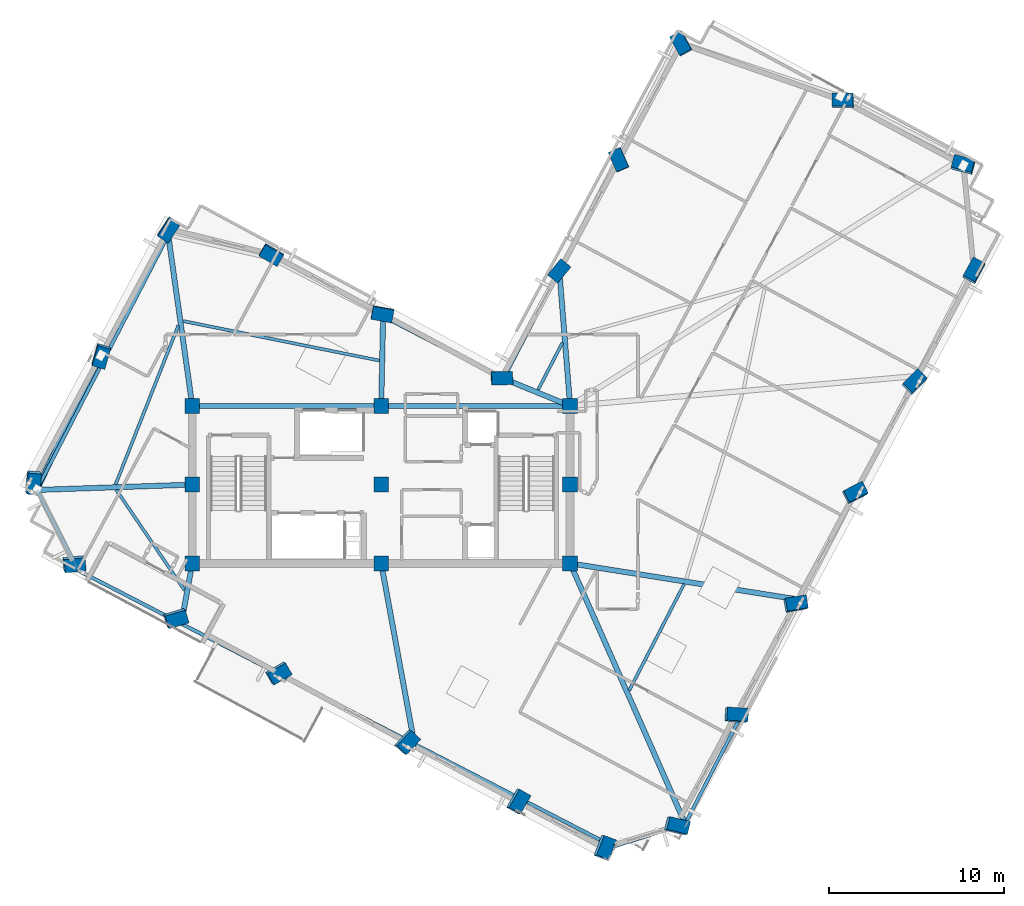
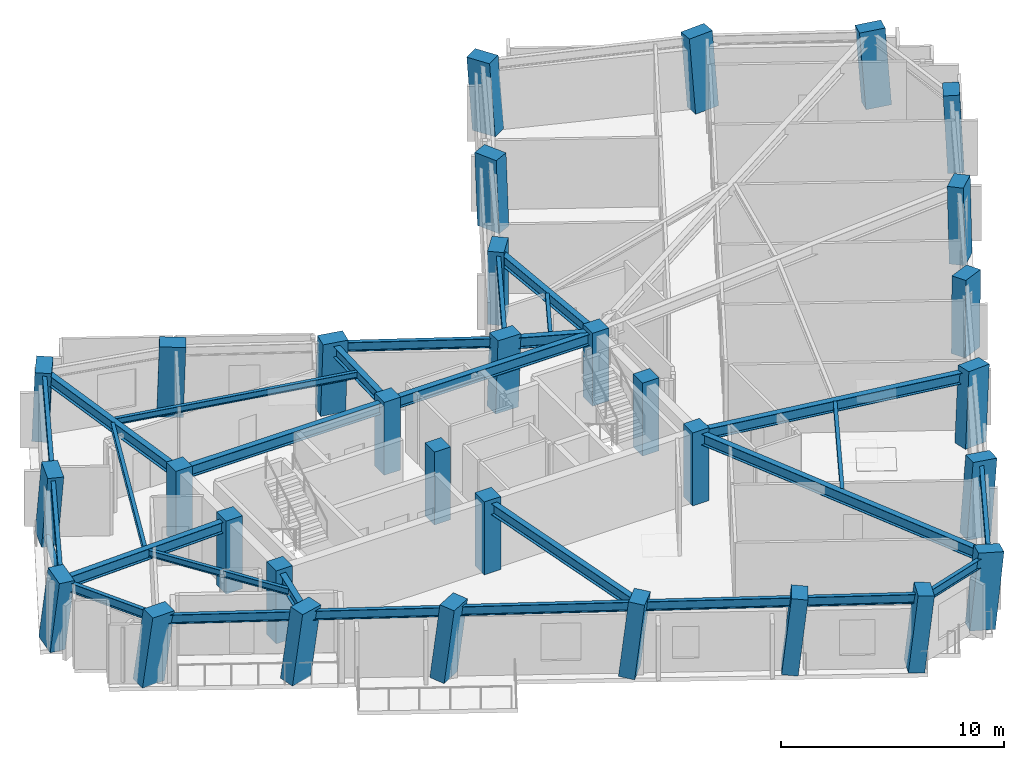
# One storey, part 1 of 14: 32 columns, 28 beams, 1 member.
"""IFC4 building model written with IfcOpenShell, lengths in metres."""

from ifc_helpers import new_model, si_unit, direction, frame, origin, origin_2d, place, context, subcontext, project, spatial, rectangle, hollow_circle, i_section, extrude, material, material_profile, profile_set, type_object, element, save


model = new_model("IFC4")

# Units and contexts
model_context = context("Model", 3, precision=1e-05, world=origin(), true_north=direction((0.0, 1.0)))
body_context = subcontext(model_context, "Body", "Model", "MODEL_VIEW")
ifc_project = project(units=[si_unit("LENGTHUNIT", "METRE"), si_unit("AREAUNIT", "SQUARE_METRE"), si_unit("VOLUMEUNIT", "CUBIC_METRE"), si_unit("PLANEANGLEUNIT", "RADIAN"), si_unit("MASSUNIT", "GRAM", prefix="KILO")], contexts=[model_context])

# Site, building, storey
site_placement = place(None, origin())
site = spatial("IfcSite", under=ifc_project, at=site_placement, CompositionType="ELEMENT")
building_placement = place(site_placement, origin())
building = spatial("IfcBuilding", under=site, at=building_placement, Name="Gaonmaruhae Medical Tower", CompositionType="ELEMENT")
storey_placement = place(building_placement, frame((0.0, 0.0, 288.60009765625)))
storey = spatial("IfcBuildingStorey", under=building, at=storey_placement, Name="L69", CompositionType="ELEMENT", Elevation=288.60009765625)

# Columns
ifc_material_1 = material(Name="Concrete C50/60", Category="concrete")
ifc_material_profile_1 = material_profile(ifc_material_1, rectangle(XDim=0.85009765625, YDim=0.85009765625, at=origin_2d()), Name="RC-850x850")
ifc_profile_set_1 = profile_set([ifc_material_profile_1], Name="Concrete C50/60")
column_type_1 = type_object("IfcColumnType", Name="CC-06 Upper Core Column (RC-850x850)", PredefinedType="COLUMN", material=ifc_profile_set_1)
for number, where, z_axis, x_axis, name in (
    (1, (14.0, 7.800048828125, 0.0), (0.0, 0.0, 1.0), (1.0, 0.0, 0.0), "L69 Plumb Core Column CC11"),
    (2, (14.0, 12.300048828125, 0.0), (0.0, 0.0, 1.0), (1.0, 0.0, 0.0), "L69 Plumb Core Column CC12"),
    (3, (14.0, 16.800048828125, 0.0), (0.0, 0.0, 1.0), (1.0, 0.0, 0.0), "L69 Plumb Core Column CC13"),
    (4, (24.800048828125, 7.800048828125, 0.0), (0.0, 0.0, 1.0), (1.0, 0.0, 0.0), "L69 Plumb Core Column CC21"),
    (5, (24.800048828125, 12.300048828125, 0.0), (0.0, 0.0, 1.0), (1.0, 0.0, 0.0), "L69 Plumb Core Column CC22"),
    (6, (24.800048828125, 16.800048828125, 0.0), (0.0, 0.0, 1.0), (1.0, 0.0, 0.0), "L69 Plumb Core Column CC23"),
    (7, (35.60009765625, 7.800048828125, 0.0), (0.0, 0.0, 1.0), (1.0, 0.0, 0.0), "L69 Plumb Core Column CC31"),
    (8, (35.60009765625, 12.300048828125, 0.0), (0.0, 0.0, 1.0), (1.0, 0.0, 0.0), "L69 Plumb Core Column CC32"),
    (9, (35.60009765625, 16.800048828125, 0.0), (0.0, 0.0, 1.0), (1.0, 0.0, 0.0), "L69 Plumb Core Column CC33"),
):
    element("IfcColumn", number, at=place(storey_placement, frame(where, z_axis=z_axis, x_axis=x_axis)), inside=storey, type_object=column_type_1, Name=name, PredefinedType="COLUMN", context=body_context, shape_type="SweptSolid", body=[
        extrude(rectangle(XDim=0.85009765625, YDim=0.85009765625, at=origin_2d()), origin(), (0.0, 0.0, 1.0), 4.0),
    ])
ifc_material_profile_2 = material_profile(ifc_material_1, rectangle(XDim=1.199951171875, YDim=0.75, at=origin_2d()), Name="RC-1200x750")
ifc_profile_set_2 = profile_set([ifc_material_profile_2], Name="Concrete C50/60")
column_type_2 = type_object("IfcColumnType", Name="TC-03 Upper Raking Tube Pier Column (RC-1200x750)", PredefinedType="COLUMN", material=ifc_profile_set_2)
column_1_placement = place(storey_placement, frame((41.651123046875, -7.22509765625, 0.001708984375), z_axis=(0.131222075109, 0.034197634888, 0.990762983146), x_axis=(-0.963909979009, 0.237925391317, 0.119453172973)))
element("IfcColumn", 10, at=column_1_placement, inside=storey, type_object=column_type_2, Name="L69 Perimeter Tube Column S01", PredefinedType="COLUMN", context=body_context, shape_type="SweptSolid", body=[
    extrude(rectangle(XDim=1.199951171875, YDim=0.75, at=origin_2d()), origin(), (0.0, 0.0, 1.0), 4.03369140625),
])
column_2_placement = place(storey_placement, frame((45.058837890625, -0.882568359375, 0.001708984375), z_axis=(0.105340829604, 0.048058719497, 0.993274216467), x_axis=(-0.992495415891, 0.067453384298, 0.101994560549)))
element("IfcColumn", 11, at=column_2_placement, inside=storey, type_object=column_type_2, Name="L69 Perimeter Tube Column S02", PredefinedType="COLUMN", context=body_context, shape_type="SweptSolid", body=[
    extrude(rectangle(XDim=1.199951171875, YDim=0.75, at=origin_2d()), origin(), (0.0, 0.0, 1.0), 4.0234375),
])
column_3_placement = place(storey_placement, frame((48.466796875, 5.4599609375, 0.001708984375), z_axis=(0.079258737557, 0.061936084026, 0.99492812505), x_axis=(-0.98201925884, -0.16669404877, 0.08860738892)))
element("IfcColumn", 12, at=column_3_placement, inside=storey, type_object=column_type_2, Name="L69 Perimeter Tube Column S03", PredefinedType="COLUMN", context=body_context, shape_type="SweptSolid", body=[
    extrude(rectangle(XDim=1.199951171875, YDim=0.75, at=origin_2d()), origin(), (0.0, 0.0, 1.0), 4.0166015625),
])
column_4_placement = place(storey_placement, frame((51.87451171875, 11.80224609375, 0.001708984375), z_axis=(0.053042740852, 0.075853552572, 0.995707138774), x_axis=(-0.890530917938, -0.447556403311, 0.081534962146)))
element("IfcColumn", 13, at=column_4_placement, inside=storey, type_object=column_type_2, Name="L69 Perimeter Tube Column S04", PredefinedType="COLUMN", context=body_context, shape_type="SweptSolid", body=[
    extrude(rectangle(XDim=1.199951171875, YDim=0.75, at=origin_2d()), origin(), (0.0, 0.0, 1.0), 4.013671875),
])
column_5_placement = place(storey_placement, frame((55.282470703125, 18.144775390625, 0.001708984375), z_axis=(0.026701241209, 0.089713737548, 0.99560960673), x_axis=(-0.70383349377, -0.705563431999, 0.082453965787)))
element("IfcColumn", 14, at=column_5_placement, inside=storey, type_object=column_type_2, Name="L69 Perimeter Tube Column S05", PredefinedType="COLUMN", context=body_context, shape_type="SweptSolid", body=[
    extrude(rectangle(XDim=1.199951171875, YDim=0.75, at=origin_2d()), origin(), (0.0, 0.0, 1.0), 4.013916015625),
])
column_6_placement = place(storey_placement, frame((58.6904296875, 24.487060546875, 0.001708984375), z_axis=(0.000425341829, 0.103479590753, 0.994631486221), x_axis=(-0.476917007508, -0.874208749099, 0.091154983125)))
element("IfcColumn", 15, at=column_6_placement, inside=storey, type_object=column_type_2, Name="L69 Perimeter Tube Column S06", PredefinedType="COLUMN", context=body_context, shape_type="SweptSolid", body=[
    extrude(rectangle(XDim=1.199951171875, YDim=0.75, at=origin_2d()), origin(), (0.0, 0.0, 1.0), 4.017822265625),
])
column_7_placement = place(storey_placement, frame((58.08544921875, 30.544921875, 0.001708984375), z_axis=(-0.024487034295, 0.100743183277, 0.994611077846), x_axis=(0.967157776152, -0.249394798072, 0.049072097195)))
element("IfcColumn", 16, at=column_7_placement, inside=storey, type_object=column_type_2, Name="L69 Perimeter Tube Column E01", PredefinedType="COLUMN", context=body_context, shape_type="SweptSolid", body=[
    extrude(rectangle(XDim=1.199951171875, YDim=0.75, at=origin_2d()), origin(), (0.0, 0.0, 1.0), 4.01806640625),
])
column_8_placement = place(storey_placement, frame((51.214599609375, 34.23681640625, 0.001708984375), z_axis=(-0.039573663733, 0.072450245911, 0.996586617914), x_axis=(0.999201856166, 0.008297625984, 0.039074288691)))
element("IfcColumn", 17, at=column_8_placement, inside=storey, type_object=column_type_2, Name="L69 Perimeter Tube Column E02", PredefinedType="COLUMN", context=body_context, shape_type="SweptSolid", body=[
    extrude(rectangle(XDim=1.199951171875, YDim=0.75, at=origin_2d()), origin(), (0.0, 0.0, 1.0), 4.010009765625),
])
column_9_placement = place(storey_placement, frame((41.9599609375, 37.506591796875, 0.001708984375), z_axis=(-0.052860994468, 0.034143202886, 0.998018014347), x_axis=(0.481683827276, -0.874590087934, 0.055433461268)))
element("IfcColumn", 18, at=column_9_placement, inside=storey, type_object=column_type_2, Name="L69 Perimeter Tube Column E03", PredefinedType="COLUMN", context=body_context, shape_type="SweptSolid", body=[
    extrude(rectangle(XDim=1.199951171875, YDim=0.75, at=origin_2d()), origin(), (0.0, 0.0, 1.0), 4.00439453125),
])
column_10_placement = place(storey_placement, frame((38.386474609375, 30.855712890625, 0.001708984375), z_axis=(-0.02527873729, 0.019661240115, 0.999487078995), x_axis=(0.404386239678, -0.914153133905, 0.028210227402)))
element("IfcColumn", 19, at=column_10_placement, inside=storey, type_object=column_type_2, Name="L69 Perimeter Tube Column EN01", PredefinedType="COLUMN", context=body_context, shape_type="SweptSolid", body=[
    extrude(rectangle(XDim=1.199951171875, YDim=0.75, at=origin_2d()), origin(), (0.0, 0.0, 1.0), 3.998291015625),
])
column_11_placement = place(storey_placement, frame((34.978515625, 24.513427734375, 0.001708984375), z_axis=(0.001160710729, 0.005742463608, 0.999982838284), x_axis=(-0.638457278881, -0.769639960871, 0.005160782248)))
element("IfcColumn", 20, at=column_11_placement, inside=storey, type_object=column_type_2, Name="L69 Perimeter Tube Column EN02", PredefinedType="COLUMN", context=body_context, shape_type="SweptSolid", body=[
    extrude(rectangle(XDim=1.199951171875, YDim=0.75, at=origin_2d()), origin(), (0.0, 0.0, 1.0), 3.996337890625),
])
column_12_placement = place(storey_placement, frame((31.68896484375, 18.39111328125, 0.001708984375), z_axis=(0.026625482146, -0.00769452007, 0.999615865251), x_axis=(-0.999585944385, -0.011118265183, 0.026539102593)))
element("IfcColumn", 21, at=column_12_placement, inside=storey, type_object=column_type_2, Name="L69 Perimeter Tube Column KN01", PredefinedType="COLUMN", context=body_context, shape_type="SweptSolid", body=[
    extrude(rectangle(XDim=1.199951171875, YDim=0.75, at=origin_2d()), origin(), (0.0, 0.0, 1.0), 3.997802734375),
])
column_13_placement = place(storey_placement, frame((24.862060546875, 22.059326171875, 0.001708984375), z_axis=(0.011660007083, -0.036078870084, 0.999280921147), x_axis=(-0.983654833294, 0.179167776512, 0.017946498203)))
element("IfcColumn", 22, at=column_13_placement, inside=storey, type_object=column_type_2, Name="L69 Perimeter Tube Column NE01", PredefinedType="COLUMN", context=body_context, shape_type="SweptSolid", body=[
    extrude(rectangle(XDim=1.199951171875, YDim=0.75, at=origin_2d()), origin(), (0.0, 0.0, 1.0), 3.999267578125),
])
column_14_placement = place(storey_placement, frame((18.51953125, 25.46728515625, 0.001708984375), z_axis=(-0.002194983084, -0.062435074387, 0.998046613909), x_axis=(-0.863749482382, 0.503053124893, 0.029570005408)))
element("IfcColumn", 23, at=column_14_placement, inside=storey, type_object=column_type_2, Name="L69 Perimeter Tube Column NE02", PredefinedType="COLUMN", context=body_context, shape_type="SweptSolid", body=[
    extrude(rectangle(XDim=1.199951171875, YDim=0.75, at=origin_2d()), origin(), (0.0, 0.0, 1.0), 4.004150390625),
])
column_15_placement = place(storey_placement, frame((12.656494140625, 26.914794921875, 0.001708984375), z_axis=(-0.008033507134, -0.086542781403, 0.99621574458), x_axis=(0.552405780626, 0.830051829653, 0.076562481814)))
element("IfcColumn", 24, at=column_15_placement, inside=storey, type_object=column_type_2, Name="L69 Perimeter Tube Column N01", PredefinedType="COLUMN", context=body_context, shape_type="SweptSolid", body=[
    extrude(rectangle(XDim=1.199951171875, YDim=0.75, at=origin_2d()), origin(), (0.0, 0.0, 1.0), 4.011474609375),
])
column_16_placement = place(storey_placement, frame((8.775390625, 19.69140625, 0.001708984375), z_axis=(0.021872497794, -0.102132413311, 0.994530323314), x_axis=(0.279366922613, 0.955766050838, 0.092007492169)))
element("IfcColumn", 25, at=column_16_placement, inside=storey, type_object=column_type_2, Name="L69 Perimeter Tube Column N02", PredefinedType="COLUMN", context=body_context, shape_type="SweptSolid", body=[
    extrude(rectangle(XDim=1.199951171875, YDim=0.75, at=origin_2d()), origin(), (0.0, 0.0, 1.0), 4.018310546875),
])
column_17_placement = place(storey_placement, frame((4.89404296875, 12.468017578125, 0.001708984375), z_axis=(0.051679010826, -0.117595498256, 0.991715976795), x_axis=(0.081851400023, 0.990200644912, 0.113150480027)))
element("IfcColumn", 26, at=column_17_placement, inside=storey, type_object=column_type_2, Name="L69 Perimeter Tube Column N03", PredefinedType="COLUMN", context=body_context, shape_type="SweptSolid", body=[
    extrude(rectangle(XDim=1.199951171875, YDim=0.75, at=origin_2d()), origin(), (0.0, 0.0, 1.0), 4.02978515625),
])
column_18_placement = place(storey_placement, frame((7.218017578125, 7.813720703125, 0.001708984375), z_axis=(0.070698136038, -0.107834346313, 0.991651918425), x_axis=(-0.994028901096, -0.090452695087, 0.061031579835)))
element("IfcColumn", 27, at=column_18_placement, inside=storey, type_object=column_type_2, Name="L69 Perimeter Tube Column W01", PredefinedType="COLUMN", context=body_context, shape_type="SweptSolid", body=[
    extrude(rectangle(XDim=1.199951171875, YDim=0.75, at=origin_2d()), origin(), (0.0, 0.0, 1.0), 4.030029296875),
])
column_19_placement = place(storey_placement, frame((13.031982421875, 4.68994140625, 0.001708984375), z_axis=(0.083470163832, -0.083955455482, 0.992967377734), x_axis=(-0.956055787436, -0.287780043568, 0.056035505114)))
element("IfcColumn", 28, at=column_19_placement, inside=storey, type_object=column_type_2, Name="L69 Perimeter Tube Column W02", PredefinedType="COLUMN", context=body_context, shape_type="SweptSolid", body=[
    extrude(rectangle(XDim=1.199951171875, YDim=0.75, at=origin_2d()), origin(), (0.0, 0.0, 1.0), 4.024658203125),
])
column_20_placement = place(storey_placement, frame((18.889892578125, 1.54248046875, 0.001708984375), z_axis=(0.096266334143, -0.059787099074, 0.993558400747), x_axis=(-0.864243436661, -0.500206293259, 0.053637173418)))
element("IfcColumn", 29, at=column_20_placement, inside=storey, type_object=column_type_2, Name="L69 Perimeter Tube Column W03", PredefinedType="COLUMN", context=body_context, shape_type="SweptSolid", body=[
    extrude(rectangle(XDim=1.199951171875, YDim=0.75, at=origin_2d()), origin(), (0.0, 0.0, 1.0), 4.022216796875),
])
column_21_placement = place(storey_placement, frame((26.245361328125, -2.40966796875, 0.001708984375), z_axis=(0.112255108105, -0.029368363418, 0.993245332199), x_axis=(-0.677771171035, -0.733218892592, 0.054920808993)))
element("IfcColumn", 30, at=column_21_placement, inside=storey, type_object=column_type_2, Name="L69 Perimeter Tube Column W04", PredefinedType="COLUMN", context=body_context, shape_type="SweptSolid", body=[
    extrude(rectangle(XDim=1.199951171875, YDim=0.75, at=origin_2d()), origin(), (0.0, 0.0, 1.0), 4.0234375),
])
column_22_placement = place(storey_placement, frame((32.587646484375, -5.817626953125, 0.001708984375), z_axis=(0.125935960294, -0.00309082482, 0.992033558256), x_axis=(-0.491020683941, -0.869104963751, 0.059625916554)))
element("IfcColumn", 31, at=column_22_placement, inside=storey, type_object=column_type_2, Name="L69 Perimeter Tube Column W05", PredefinedType="COLUMN", context=body_context, shape_type="SweptSolid", body=[
    extrude(rectangle(XDim=1.199951171875, YDim=0.75, at=origin_2d()), origin(), (0.0, 0.0, 1.0), 4.0283203125),
])
column_23_placement = place(storey_placement, frame((37.520751953125, -8.46826171875, 0.001708984375), z_axis=(0.136451218521, 0.017245497684, 0.990496672268), x_axis=(-0.354668065967, -0.932723274246, 0.065098822281)))
element("IfcColumn", 32, at=column_23_placement, inside=storey, type_object=column_type_2, Name="L69 Perimeter Tube Column W06", PredefinedType="COLUMN", context=body_context, shape_type="SweptSolid", body=[
    extrude(rectangle(XDim=1.199951171875, YDim=0.75, at=origin_2d()), origin(), (0.0, 0.0, 1.0), 4.03466796875),
])

# Beams
ifc_material_2 = material(Name="Steel SM355", Category="steel")
ifc_material_profile_3 = material_profile(ifc_material_2, i_section(OverallWidth=0.175048828125, OverallDepth=0.35009765625, WebThickness=0.007080078125, FlangeThickness=0.010986328125, FilletRadius=0.012939453125, at=origin_2d()), Name="H-350x175x7x11")
ifc_profile_set_3 = profile_set([ifc_material_profile_3], Name="Steel SM355")
beam_type_1 = type_object("IfcBeamType", Name="FJ-02 Upper Zone Ward Floor Joist (H-350x175x7x11)", PredefinedType="JOIST", material=ifc_profile_set_3)
beam_1_placement = place(storey_placement, frame((38.9814453125, 0.532958984375, 3.60498046875), z_axis=(0.458660201193, 0.888611737398, 0.0), x_axis=(-0.888611737398, 0.458660201193, 0.0)))
element("IfcBeam", 33, at=beam_1_placement, inside=storey, type_object=beam_type_1, Name="L69 Secondary Floor Joist FJ01", PredefinedType="JOIST", context=body_context, shape_type="SweptSolid", body=[
    extrude(i_section(OverallWidth=0.175048828125, OverallDepth=0.35009765625, WebThickness=0.007080078125, FlangeThickness=0.010986328125, FilletRadius=0.012939453125, at=origin_2d()), origin(), (0.0, 0.0, 1.0), 6.837158203125),
])
beam_2_placement = place(storey_placement, frame((35.158447265625, 20.41015625, 3.60498046875), z_axis=(-0.458657295163, -0.88861323735, 0.0), x_axis=(0.88861323735, -0.458657295163, 0.0)))
element("IfcBeam", 34, at=beam_2_placement, inside=storey, type_object=beam_type_1, Name="L69 Secondary Floor Joist FJ05", PredefinedType="JOIST", context=body_context, shape_type="SweptSolid", body=[
    extrude(i_section(OverallWidth=0.175048828125, OverallDepth=0.35009765625, WebThickness=0.007080078125, FlangeThickness=0.010986328125, FilletRadius=0.012939453125, at=origin_2d()), origin(), (0.0, 0.0, 1.0), 3.0283203125),
])
beam_3_placement = place(storey_placement, frame((24.698974609375, 19.388671875, 3.60498046875), z_axis=(-0.980286832475, 0.197579670202, 0.0), x_axis=(-0.197579670202, -0.980286832475, 0.0)))
element("IfcBeam", 35, at=beam_3_placement, inside=storey, type_object=beam_type_1, Name="L69 Secondary Floor Joist FJ07", PredefinedType="JOIST", context=body_context, shape_type="SweptSolid", body=[
    extrude(i_section(OverallWidth=0.175048828125, OverallDepth=0.35009765625, WebThickness=0.007080078125, FlangeThickness=0.010986328125, FilletRadius=0.012939453125, at=origin_2d()), origin(), (0.0, 0.0, 1.0), 11.450927734375),
])
beam_4_placement = place(storey_placement, frame((13.1982421875, 21.39501953125, 3.60498046875), z_axis=(-0.366850230365, -0.930280016168, 0.0), x_axis=(0.930280016168, -0.366850230365, 0.0)))
element("IfcBeam", 36, at=beam_4_placement, inside=storey, type_object=beam_type_1, Name="L69 Secondary Floor Joist FJ08", PredefinedType="JOIST", context=body_context, shape_type="SweptSolid", body=[
    extrude(i_section(OverallWidth=0.175048828125, OverallDepth=0.35009765625, WebThickness=0.007080078125, FlangeThickness=0.010986328125, FilletRadius=0.012939453125, at=origin_2d()), origin(), (0.0, 0.0, 1.0), 9.771728515625),
])
beam_5_placement = place(storey_placement, frame((9.654296875, 11.995361328125, 3.5849609375), z_axis=(0.562741890654, -0.826632666003, 0.0), x_axis=(0.826632666003, 0.562741890654, 0.0)))
element("IfcBeam", 37, at=beam_5_placement, inside=storey, type_object=beam_type_1, Name="L69 Secondary Floor Joist FJ09", PredefinedType="JOIST", context=body_context, shape_type="SweptSolid", body=[
    extrude(i_section(OverallWidth=0.175048828125, OverallDepth=0.35009765625, WebThickness=0.007080078125, FlangeThickness=0.010986328125, FilletRadius=0.012939453125, at=origin_2d()), origin(), (0.0, 0.0, 1.0), 6.94140625),
])

# Member
ifc_material_profile_4 = material_profile(ifc_material_2, hollow_circle(Radius=0.1591796875, WallThickness=0.01025390625, at=origin_2d()), Name="CHS-318.5x10.3")
ifc_profile_set_4 = profile_set([ifc_material_profile_4], Name="Steel SM355")
member_type = type_object("IfcMemberType", Name="PB-03 Perimeter Solid-Bay Tube Brace Upper (CHS-318.5x10.3)", PredefinedType="BRACE", material=ifc_profile_set_4)
member_placement = place(storey_placement, frame((8.775146484375, 19.691650390625, 0.25), z_axis=(-0.401942636311, -0.84238562751, 0.358926972627), x_axis=(0.902524783843, -0.430637915828, 0.0)))
element("IfcMember", 38, at=member_placement, inside=storey, type_object=member_type, Name="L69 Perimeter Tube Solid-Bay Brace N02-N03", PredefinedType="BRACE", context=body_context, shape_type="SweptSolid", body=[
    extrude(hollow_circle(Radius=0.1591796875, WallThickness=0.01025390625, at=origin_2d()), origin(), (0.0, 0.0, 1.0), 9.1376953125),
])

# Beams
ifc_material_3 = material(Name="Steel SM420", Category="steel")
ifc_material_profile_5 = material_profile(ifc_material_3, i_section(OverallWidth=0.300048828125, OverallDepth=0.60009765625, WebThickness=0.011962890625, FlangeThickness=0.02001953125, FilletRadius=0.012939453125, at=origin_2d()), Name="H-600x300x12x20")
ifc_profile_set_5 = profile_set([ifc_material_profile_5], Name="Steel SM420")
beam_type_2 = type_object("IfcBeamType", Name="PG-04 Zone 4 Radial Floor Girder (H-600x300x12x20)", PredefinedType="BEAM", material=ifc_profile_set_5)
for number, where, z_axis, x_axis, name in (
    (39, (14.050048828125, 16.800048828125, 3.47998046875), (1.0, 0.0, 0.0), (0.0, 1.0, 0.0), "L69 Beam BM-L69-CG-N1"),
    (40, (24.85009765625, 16.800048828125, 3.47998046875), (1.0, 0.0, 0.0), (0.0, 1.0, 0.0), "L69 Beam BM-L69-CG-N2"),
):
    element("IfcBeam", number, at=place(storey_placement, frame(where, z_axis=z_axis, x_axis=x_axis)), inside=storey, type_object=beam_type_2, Name=name, PredefinedType="BEAM", context=body_context, shape_type="SweptSolid", body=[
        extrude(i_section(OverallWidth=0.300048828125, OverallDepth=0.60009765625, WebThickness=0.011962890625, FlangeThickness=0.02001953125, FilletRadius=0.012939453125, at=origin_2d()), origin(), (0.0, 0.0, 1.0), 10.699951171875),
    ])
beam_6_placement = place(storey_placement, frame((35.6201171875, 7.754150390625, 3.47998046875), z_axis=(0.404301857762, -0.914625610734, 0.0), x_axis=(0.914625610734, 0.404301857762, 0.0)))
element("IfcBeam", 41, at=beam_6_placement, inside=storey, type_object=beam_type_2, Name="L69 Radial Primary Girder S01", PredefinedType="BEAM", context=body_context, shape_type="SweptSolid", body=[
    extrude(i_section(OverallWidth=0.300048828125, OverallDepth=0.60009765625, WebThickness=0.011962890625, FlangeThickness=0.02001953125, FilletRadius=0.012939453125, at=origin_2d()), origin(), (0.0, 0.0, 1.0), 16.1767578125),
])
beam_7_placement = place(storey_placement, frame((35.6494140625, 7.792236328125, 3.47998046875), z_axis=(0.987656214282, -0.156637167972, 0.0), x_axis=(0.156637167972, 0.987656214282, 0.0)))
element("IfcBeam", 42, at=beam_7_placement, inside=storey, type_object=beam_type_2, Name="L69 Radial Primary Girder S03", PredefinedType="BEAM", context=body_context, shape_type="SweptSolid", body=[
    extrude(i_section(OverallWidth=0.300048828125, OverallDepth=0.60009765625, WebThickness=0.011962890625, FlangeThickness=0.02001953125, FilletRadius=0.012939453125, at=origin_2d()), origin(), (0.0, 0.0, 1.0), 13.25),
])
beam_8_placement = place(storey_placement, frame((35.595947265625, 16.849853515625, 3.47998046875), z_axis=(-0.079481754035, 0.996836320955, 0.0), x_axis=(-0.996836320955, -0.079481754035, 0.0)))
element("IfcBeam", 43, at=beam_8_placement, inside=storey, type_object=beam_type_2, Name="L69 Radial Primary Girder EN02", PredefinedType="BEAM", context=body_context, shape_type="SweptSolid", body=[
    extrude(i_section(OverallWidth=0.300048828125, OverallDepth=0.60009765625, WebThickness=0.011962890625, FlangeThickness=0.02001953125, FilletRadius=0.012939453125, at=origin_2d()), origin(), (0.0, 0.0, 1.0), 7.66064453125),
])
beam_9_placement = place(storey_placement, frame((35.5537109375, 16.819091796875, 3.47998046875), z_axis=(-0.925222853493, 0.37942413125, 0.0), x_axis=(-0.37942413125, -0.925222853493, 0.0)))
element("IfcBeam", 44, at=beam_9_placement, inside=storey, type_object=beam_type_2, Name="L69 Radial Primary Girder KN01", PredefinedType="BEAM", context=body_context, shape_type="SweptSolid", body=[
    extrude(i_section(OverallWidth=0.300048828125, OverallDepth=0.60009765625, WebThickness=0.011962890625, FlangeThickness=0.02001953125, FilletRadius=0.012939453125, at=origin_2d()), origin(), (0.0, 0.0, 1.0), 4.011962890625),
])
beam_10_placement = place(storey_placement, frame((24.801025390625, 16.85009765625, 3.47998046875), z_axis=(0.021269711274, 0.999773774102, 0.0), x_axis=(-0.999773774102, 0.021269711274, 0.0)))
element("IfcBeam", 45, at=beam_10_placement, inside=storey, type_object=beam_type_2, Name="L69 Radial Primary Girder NE01", PredefinedType="BEAM", context=body_context, shape_type="SweptSolid", body=[
    extrude(i_section(OverallWidth=0.300048828125, OverallDepth=0.60009765625, WebThickness=0.011962890625, FlangeThickness=0.02001953125, FilletRadius=0.012939453125, at=origin_2d()), origin(), (0.0, 0.0, 1.0), 5.01611328125),
])
beam_11_placement = place(storey_placement, frame((13.992919921875, 16.849609375, 3.47998046875), z_axis=(-0.139453672444, 0.990228596457, 0.0), x_axis=(-0.990228596457, -0.139453672444, 0.0)))
element("IfcBeam", 46, at=beam_11_placement, inside=storey, type_object=beam_type_2, Name="L69 Radial Primary Girder N01", PredefinedType="BEAM", context=body_context, shape_type="SweptSolid", body=[
    extrude(i_section(OverallWidth=0.300048828125, OverallDepth=0.60009765625, WebThickness=0.011962890625, FlangeThickness=0.02001953125, FilletRadius=0.012939453125, at=origin_2d()), origin(), (0.0, 0.0, 1.0), 9.763671875),
])
beam_12_placement = place(storey_placement, frame((13.949951171875, 12.29833984375, 3.47998046875), z_axis=(-0.999409420044, -0.034362932467, 0.0), x_axis=(0.034362932467, -0.999409420044, 0.0)))
element("IfcBeam", 47, at=beam_12_placement, inside=storey, type_object=beam_type_2, Name="L69 Radial Primary Girder N03", PredefinedType="BEAM", context=body_context, shape_type="SweptSolid", body=[
    extrude(i_section(OverallWidth=0.300048828125, OverallDepth=0.60009765625, WebThickness=0.011962890625, FlangeThickness=0.02001953125, FilletRadius=0.012939453125, at=origin_2d()), origin(), (0.0, 0.0, 1.0), 8.802734375),
])
beam_13_placement = place(storey_placement, frame((13.990966796875, 7.750732421875, 3.4599609375), z_axis=(-0.180304748647, -0.983610795801, 0.0), x_axis=(0.983610795801, -0.180304748647, 0.0)))
element("IfcBeam", 48, at=beam_13_placement, inside=storey, type_object=beam_type_2, Name="L69 Radial Primary Girder W02", PredefinedType="BEAM", context=body_context, shape_type="SweptSolid", body=[
    extrude(i_section(OverallWidth=0.300048828125, OverallDepth=0.60009765625, WebThickness=0.011962890625, FlangeThickness=0.02001953125, FilletRadius=0.012939453125, at=origin_2d()), origin(), (0.0, 0.0, 1.0), 3.405517578125),
])
beam_14_placement = place(storey_placement, frame((24.80908203125, 7.750732421875, 3.47998046875), z_axis=(0.180676081459, -0.983542654687, 0.0), x_axis=(0.983542654687, 0.180676081459, 0.0)))
element("IfcBeam", 49, at=beam_14_placement, inside=storey, type_object=beam_type_2, Name="L69 Radial Primary Girder W04", PredefinedType="BEAM", context=body_context, shape_type="SweptSolid", body=[
    extrude(i_section(OverallWidth=0.300048828125, OverallDepth=0.60009765625, WebThickness=0.011962890625, FlangeThickness=0.02001953125, FilletRadius=0.012939453125, at=origin_2d()), origin(), (0.0, 0.0, 1.0), 10.400634765625),
])
ifc_material_profile_6 = material_profile(ifc_material_2, i_section(OverallWidth=0.199951171875, OverallDepth=0.5, WebThickness=0.010009765625, FlangeThickness=0.01611328125, FilletRadius=0.012939453125, at=origin_2d()), Name="H-500x200x10x16")
ifc_profile_set_6 = profile_set([ifc_material_profile_6], Name="Steel SM355")
beam_type_3 = type_object("IfcBeamType", Name="SP-02 Upper Perimeter Spandrel Beam (H-500x200x10x16)", PredefinedType="SPANDREL", material=ifc_profile_set_6)
beam_15_placement = place(storey_placement, frame((42.198974609375, -7.0517578125, 3.52978515625), z_axis=(0.45864291977, 0.888620657055, 0.0), x_axis=(-0.888620657055, 0.45864291977, 0.0)))
element("IfcBeam", 50, at=beam_15_placement, inside=storey, type_object=beam_type_3, Name="L69 Perimeter Spandrel Beam S01-S02", PredefinedType="SPANDREL", context=body_context, shape_type="SweptSolid", body=[
    extrude(i_section(OverallWidth=0.199951171875, OverallDepth=0.5, WebThickness=0.010009765625, FlangeThickness=0.01611328125, FilletRadius=0.012939453125, at=origin_2d()), origin(), (0.0, 0.0, 1.0), 7.1201171875),
])
beam_16_placement = place(storey_placement, frame((34.96484375, 24.500732421875, 3.52978515625), z_axis=(-0.458676412436, -0.888603369718, 0.0), x_axis=(0.888603369718, -0.458676412436, 0.0)))
element("IfcBeam", 51, at=beam_16_placement, inside=storey, type_object=beam_type_3, Name="L69 Perimeter Spandrel Beam EN02-KN01", PredefinedType="SPANDREL", context=body_context, shape_type="SweptSolid", body=[
    extrude(i_section(OverallWidth=0.199951171875, OverallDepth=0.5, WebThickness=0.010009765625, FlangeThickness=0.01611328125, FilletRadius=0.012939453125, at=origin_2d()), origin(), (0.0, 0.0, 1.0), 6.8701171875),
])
beam_17_placement = place(storey_placement, frame((31.760009765625, 18.378662109375, 3.52978515625), z_axis=(-0.888617727671, 0.458648595408, 0.0), x_axis=(-0.458648595408, -0.888617727671, 0.0)))
element("IfcBeam", 52, at=beam_17_placement, inside=storey, type_object=beam_type_3, Name="L69 Perimeter Spandrel Beam KN01-NE01", PredefinedType="SPANDREL", context=body_context, shape_type="SweptSolid", body=[
    extrude(i_section(OverallWidth=0.199951171875, OverallDepth=0.5, WebThickness=0.010009765625, FlangeThickness=0.01611328125, FilletRadius=0.012939453125, at=origin_2d()), origin(), (0.0, 0.0, 1.0), 7.669921875),
])
beam_18_placement = place(storey_placement, frame((12.60595703125, 26.53173828125, 3.52978515625), z_axis=(-0.458662066267, -0.888610774731, 0.0), x_axis=(0.888610774731, -0.458662066267, 0.0)))
element("IfcBeam", 53, at=beam_18_placement, inside=storey, type_object=beam_type_3, Name="L69 Perimeter Spandrel Beam N01-N02", PredefinedType="SPANDREL", context=body_context, shape_type="SweptSolid", body=[
    extrude(i_section(OverallWidth=0.199951171875, OverallDepth=0.5, WebThickness=0.010009765625, FlangeThickness=0.01611328125, FilletRadius=0.012939453125, at=origin_2d()), origin(), (0.0, 0.0, 1.0), 8.1201171875),
])
beam_19_placement = place(storey_placement, frame((8.844970703125, 19.2451171875, 3.52978515625), z_axis=(-0.458638324516, -0.888623028784, 0.0), x_axis=(0.888623028784, -0.458638324516, 0.0)))
element("IfcBeam", 54, at=beam_19_placement, inside=storey, type_object=beam_type_3, Name="L69 Perimeter Spandrel Beam N02-N03", PredefinedType="SPANDREL", context=body_context, shape_type="SweptSolid", body=[
    extrude(i_section(OverallWidth=0.199951171875, OverallDepth=0.5, WebThickness=0.010009765625, FlangeThickness=0.01611328125, FilletRadius=0.012939453125, at=origin_2d()), origin(), (0.0, 0.0, 1.0), 8.119873046875),
])
beam_20_placement = place(storey_placement, frame((5.120849609375, 11.95849609375, 3.510009765625), z_axis=(0.461474291267, -0.88715358225, 0.0), x_axis=(0.88715358225, 0.461474291267, 0.0)))
element("IfcBeam", 55, at=beam_20_placement, inside=storey, type_object=beam_type_3, Name="L69 Perimeter Spandrel Beam N03-W01", PredefinedType="SPANDREL", context=body_context, shape_type="SweptSolid", body=[
    extrude(i_section(OverallWidth=0.199951171875, OverallDepth=0.5, WebThickness=0.010009765625, FlangeThickness=0.01611328125, FilletRadius=0.012939453125, at=origin_2d()), origin(), (0.0, 0.0, 1.0), 5.122314453125),
])
beam_21_placement = place(storey_placement, frame((7.53857421875, 7.360595703125, 3.510009765625), z_axis=(0.888617211089, -0.458649596268, 0.0), x_axis=(0.458649596268, 0.888617211089, 0.0)))
element("IfcBeam", 56, at=beam_21_placement, inside=storey, type_object=beam_type_3, Name="L69 Perimeter Spandrel Beam W01-W02", PredefinedType="SPANDREL", context=body_context, shape_type="SweptSolid", body=[
    extrude(i_section(OverallWidth=0.199951171875, OverallDepth=0.5, WebThickness=0.010009765625, FlangeThickness=0.01611328125, FilletRadius=0.012939453125, at=origin_2d()), origin(), (0.0, 0.0, 1.0), 6.520263671875),
])
beam_22_placement = place(storey_placement, frame((13.403564453125, 4.33349609375, 3.510009765625), z_axis=(0.888608443081, -0.458666583572, 0.0), x_axis=(0.458666583572, 0.888608443081, 0.0)))
element("IfcBeam", 57, at=beam_22_placement, inside=storey, type_object=beam_type_3, Name="L69 Perimeter Spandrel Beam W02-W03", PredefinedType="SPANDREL", context=body_context, shape_type="SweptSolid", body=[
    extrude(i_section(OverallWidth=0.199951171875, OverallDepth=0.5, WebThickness=0.010009765625, FlangeThickness=0.01611328125, FilletRadius=0.012939453125, at=origin_2d()), origin(), (0.0, 0.0, 1.0), 6.570068359375),
])
beam_23_placement = place(storey_placement, frame((19.312744140625, 1.283447265625, 3.52978515625), z_axis=(0.888620657055, -0.45864291977, 0.0), x_axis=(0.45864291977, 0.888620657055, 0.0)))
element("IfcBeam", 58, at=beam_23_placement, inside=storey, type_object=beam_type_3, Name="L69 Perimeter Spandrel Beam W03-W04", PredefinedType="SPANDREL", context=body_context, shape_type="SweptSolid", body=[
    extrude(i_section(OverallWidth=0.199951171875, OverallDepth=0.5, WebThickness=0.010009765625, FlangeThickness=0.01611328125, FilletRadius=0.012939453125, at=origin_2d()), origin(), (0.0, 0.0, 1.0), 8.27001953125),
])
beam_24_placement = place(storey_placement, frame((26.732666015625, -2.546142578125, 3.52978515625), z_axis=(0.888620657055, -0.45864291977, 0.0), x_axis=(0.45864291977, 0.888620657055, 0.0)))
element("IfcBeam", 59, at=beam_24_placement, inside=storey, type_object=beam_type_3, Name="L69 Perimeter Spandrel Beam W04-W05", PredefinedType="SPANDREL", context=body_context, shape_type="SweptSolid", body=[
    extrude(i_section(OverallWidth=0.199951171875, OverallDepth=0.5, WebThickness=0.010009765625, FlangeThickness=0.01611328125, FilletRadius=0.012939453125, at=origin_2d()), origin(), (0.0, 0.0, 1.0), 7.1201171875),
])
beam_25_placement = place(storey_placement, frame((33.130859375, -5.8486328125, 3.52978515625), z_axis=(0.888612516092, -0.458658692543, 0.0), x_axis=(0.458658692543, 0.888612516092, 0.0)))
element("IfcBeam", 60, at=beam_25_placement, inside=storey, type_object=beam_type_3, Name="L69 Perimeter Spandrel Beam W05-W06", PredefinedType="SPANDREL", context=body_context, shape_type="SweptSolid", body=[
    extrude(i_section(OverallWidth=0.199951171875, OverallDepth=0.5, WebThickness=0.010009765625, FlangeThickness=0.01611328125, FilletRadius=0.012939453125, at=origin_2d()), origin(), (0.0, 0.0, 1.0), 5.519775390625),
])
beam_26_placement = place(storey_placement, frame((38.109619140625, -8.386474609375, 3.52978515625), z_axis=(0.952659566624, 0.304039060188, 0.0), x_axis=(-0.304039060188, 0.952659566624, 0.0)))
element("IfcBeam", 61, at=beam_26_placement, inside=storey, type_object=beam_type_3, Name="L69 Perimeter Spandrel Beam W06-S01", PredefinedType="SPANDREL", context=body_context, shape_type="SweptSolid", body=[
    extrude(i_section(OverallWidth=0.199951171875, OverallDepth=0.5, WebThickness=0.010009765625, FlangeThickness=0.01611328125, FilletRadius=0.012939453125, at=origin_2d()), origin(), (0.0, 0.0, 1.0), 4.2333984375),
])

save(model, "model.ifc")
